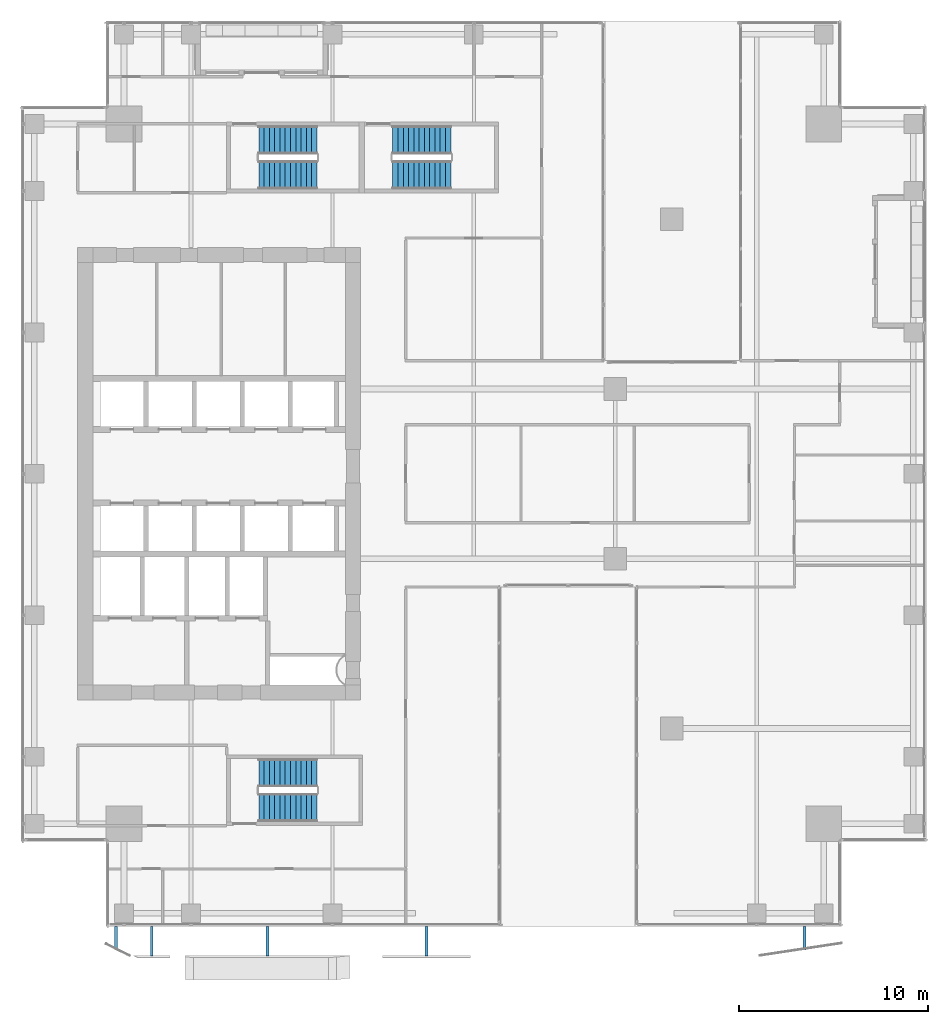
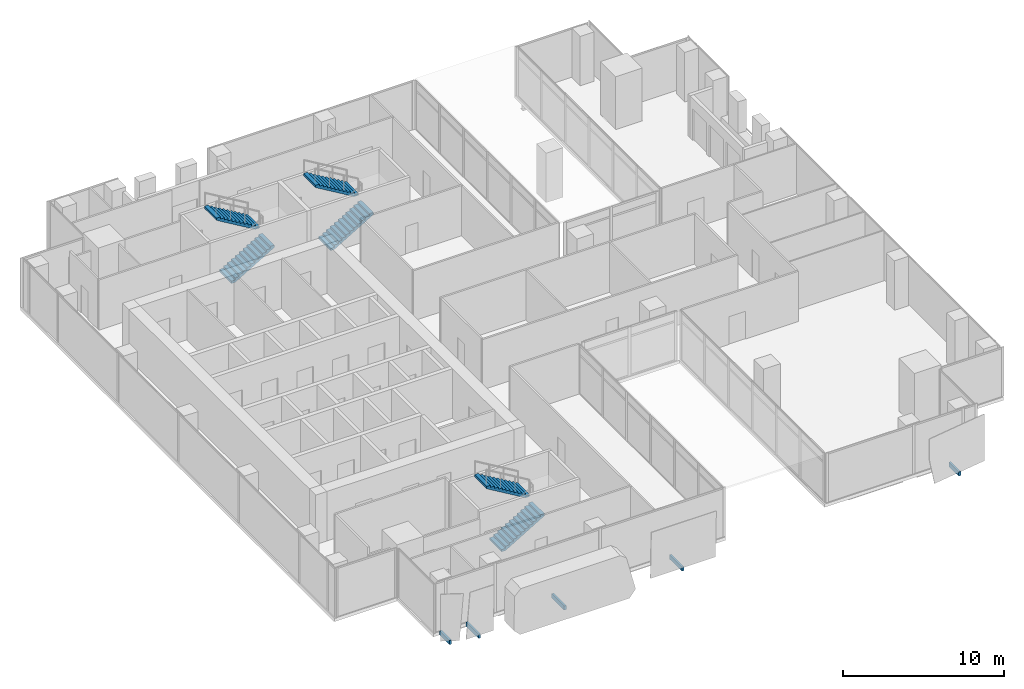
# One storey, part 37 of 40: 6 stair flights, 5 discrete accessories, 3 elements without a shape of their own.
"""IFC4 building model written with IfcOpenShell, lengths in metres."""

from ifc_helpers import new_model, si_unit, direction, frame, origin, origin_2d, place, context, subcontext, project, spatial, polyline, rectangle, outline, extrude, source, transform, mapped, material, type_object, element, aggregate, save


model = new_model("IFC4")

# Units and contexts
model_context = context("Model", 3, precision=1e-05, world=origin(), true_north=direction((0.0, 1.0)))
body_context = subcontext(model_context, "Body", "Model", "MODEL_VIEW")
ifc_project = project(units=[si_unit("LENGTHUNIT", "METRE"), si_unit("AREAUNIT", "SQUARE_METRE"), si_unit("VOLUMEUNIT", "CUBIC_METRE"), si_unit("PLANEANGLEUNIT", "RADIAN"), si_unit("MASSUNIT", "GRAM", prefix="KILO")], contexts=[model_context])

# Site, building, storey
site_placement = place(None, origin())
site = spatial("IfcSite", under=ifc_project, at=site_placement, CompositionType="ELEMENT")
building_placement = place(site_placement, origin())
building = spatial("IfcBuilding", under=site, at=building_placement, Name="Khomas Fold Tower", CompositionType="ELEMENT")
storey_placement = place(building_placement, frame((0.0, 0.0, 184.699951171875)))
storey = spatial("IfcBuildingStorey", under=building, at=storey_placement, Name="L40", CompositionType="ELEMENT", Elevation=184.699951171875)

# Stair, stair flights
ifc_material_1 = material(Name="Concrete C40/50", Category="concrete")
stair_type_1 = type_object("IfcStairType", Name="Stair ST1", PredefinedType="HALF_TURN_STAIR", material=ifc_material_1)
stair_1_placement = place(storey_placement, origin())
stair_1 = element("IfcStair", 1, at=stair_1_placement, inside=storey, type_object=stair_type_1, Name="L40 ST1", PredefinedType="HALF_TURN_STAIR")
ifc_material_2 = material(Name="Concrete C40/50", Category="concrete")
stair_flight_type_1 = type_object("IfcStairFlightType", Name="Stair flight 1500 ST1", PredefinedType="STRAIGHT", material=ifc_material_2)
shared_shape_1 = source(origin(), body_context, "Body", "SweptSolid", [
    extrude(outline(polyline([(0.0, 0.0), (0.0, 0.012939453125), (0.0, 0.025634765625), (0.0, 0.03857421875), (0.0, 0.05126953125), (0.0, 0.064208984375), (0.0, 0.076904296875), (0.0, 0.08984375), (0.0, 0.1025390625), (0.0, 0.115478515625), (0.0, 0.128173828125), (0.0, 0.14111328125), (0.0, 0.15380859375), (0.0, 0.166748046875), (0.280029296875, 0.166748046875), (0.280029296875, 0.333251953125), (0.56005859375, 0.333251953125), (0.56005859375, 0.5), (0.840087890625, 0.5), (0.840087890625, 0.666748046875), (1.1201171875, 0.666748046875), (1.1201171875, 0.833251953125), (1.39990234375, 0.833251953125), (1.39990234375, 1.0), (1.679931640625, 1.0), (1.679931640625, 1.166748046875), (1.9599609375, 1.166748046875), (1.9599609375, 1.333251953125), (2.239990234375, 1.333251953125), (2.239990234375, 1.5), (2.52001953125, 1.5), (2.52001953125, 1.666748046875), (2.800048828125, 1.666748046875), (2.800048828125, 1.833251953125), (3.080078125, 1.833251953125), (3.080078125, 2.0), (3.080078125, 1.973876953125), (3.080078125, 1.947509765625), (3.080078125, 1.92138671875), (3.080078125, 1.89501953125), (3.080078125, 1.868896484375), (3.080078125, 1.842529296875), (3.080078125, 1.81640625), (3.080078125, 1.7900390625), (3.080078125, 1.763916015625), (3.080078125, 1.737548828125), (3.080078125, 1.71142578125), (3.080078125, 1.68505859375), (3.080078125, 1.658935546875), (0.29296875, 0.0), (0.0, 0.0)])), frame((0.0, 0.75, 0.0), z_axis=(0.0, -1.0, 0.0), x_axis=(1.0, 0.0, 0.0)), (0.0, 0.0, 1.0), 1.5),
])
stair_flight_1_placement = place(storey_placement, frame((15.60009765625, 42.85009765625, 0.0), z_axis=(0.0, 0.0, 1.0), x_axis=(1.0, 0.0, 0.0)))
stair_flight_1 = element("IfcStairFlight", 2, at=stair_flight_1_placement, type_object=stair_flight_type_1, Name="ST1 flight 1", NumberOfRisers=12, NumberOfTreads=11, PredefinedType="STRAIGHT", RiserHeight=0.166666667, TreadLength=0.28, context=body_context, shape_type="MappedRepresentation", body=[
    mapped(shared_shape_1, transform((0.0, 0.0, 0.0))),
])
stair_flight_2_placement = place(storey_placement, frame((18.679931640625, 44.699951171875, 2.0), z_axis=(0.0, 0.0, 1.0), x_axis=(-1.0, 0.0, 0.0)))
stair_flight_2 = element("IfcStairFlight", 3, at=stair_flight_2_placement, type_object=stair_flight_type_1, Name="ST1 flight 2", NumberOfRisers=12, NumberOfTreads=11, PredefinedType="STRAIGHT", RiserHeight=0.166666667, TreadLength=0.28, context=body_context, shape_type="MappedRepresentation", body=[
    mapped(shared_shape_1, transform((0.0, 0.0, 0.0))),
])
aggregate(stair_1, [stair_flight_1, stair_flight_2])

ifc_material_3 = material(Name="Concrete C40/50", Category="concrete")
stair_type_2 = type_object("IfcStairType", Name="Stair ST2", PredefinedType="HALF_TURN_STAIR", material=ifc_material_3)
stair_2_placement = place(storey_placement, origin())
stair_2 = element("IfcStair", 4, at=stair_2_placement, inside=storey, type_object=stair_type_2, Name="L40 ST2", PredefinedType="HALF_TURN_STAIR")
ifc_material_4 = material(Name="Concrete C40/50", Category="concrete")
stair_flight_type_2 = type_object("IfcStairFlightType", Name="Stair flight 1500 ST2", PredefinedType="STRAIGHT", material=ifc_material_4)
stair_flight_3_placement = place(storey_placement, frame((15.60009765625, 9.300048828125, 0.0), z_axis=(0.0, 0.0, 1.0), x_axis=(1.0, 0.0, 0.0)))
stair_flight_3 = element("IfcStairFlight", 5, at=stair_flight_3_placement, type_object=stair_flight_type_2, Name="ST2 flight 1", NumberOfRisers=12, NumberOfTreads=11, PredefinedType="STRAIGHT", RiserHeight=0.166666667, TreadLength=0.28, context=body_context, shape_type="MappedRepresentation", body=[
    mapped(shared_shape_1, transform((0.0, 0.0, 0.0))),
])
stair_flight_4_placement = place(storey_placement, frame((18.679931640625, 11.14990234375, 2.0), z_axis=(0.0, 0.0, 1.0), x_axis=(-1.0, 0.0, 0.0)))
stair_flight_4 = element("IfcStairFlight", 6, at=stair_flight_4_placement, type_object=stair_flight_type_2, Name="ST2 flight 2", NumberOfRisers=12, NumberOfTreads=11, PredefinedType="STRAIGHT", RiserHeight=0.166666667, TreadLength=0.28, context=body_context, shape_type="MappedRepresentation", body=[
    mapped(shared_shape_1, transform((0.0, 0.0, 0.0))),
])
aggregate(stair_2, [stair_flight_3, stair_flight_4])

ifc_material_5 = material(Name="Concrete C40/50", Category="concrete")
stair_type_3 = type_object("IfcStairType", Name="Stair ST3", PredefinedType="HALF_TURN_STAIR", material=ifc_material_5)
stair_3_placement = place(storey_placement, origin())
stair_3 = element("IfcStair", 7, at=stair_3_placement, inside=storey, type_object=stair_type_3, Name="L40 ST3", PredefinedType="HALF_TURN_STAIR")
ifc_material_6 = material(Name="Concrete C40/50", Category="concrete")
stair_flight_type_3 = type_object("IfcStairFlightType", Name="Stair flight 1500 ST3", PredefinedType="STRAIGHT", material=ifc_material_6)
stair_flight_5_placement = place(storey_placement, frame((22.699951171875, 42.85009765625, 0.0), z_axis=(0.0, 0.0, 1.0), x_axis=(1.0, 0.0, 0.0)))
stair_flight_5 = element("IfcStairFlight", 8, at=stair_flight_5_placement, type_object=stair_flight_type_3, Name="ST3 flight 1", NumberOfRisers=12, NumberOfTreads=11, PredefinedType="STRAIGHT", RiserHeight=0.166666667, TreadLength=0.28, context=body_context, shape_type="MappedRepresentation", body=[
    mapped(shared_shape_1, transform((0.0, 0.0, 0.0))),
])
stair_flight_6_placement = place(storey_placement, frame((25.780029296875, 44.699951171875, 2.0), z_axis=(0.0, 0.0, 1.0), x_axis=(-1.0, 0.0, 0.0)))
stair_flight_6 = element("IfcStairFlight", 9, at=stair_flight_6_placement, type_object=stair_flight_type_3, Name="ST3 flight 2", NumberOfRisers=12, NumberOfTreads=11, PredefinedType="STRAIGHT", RiserHeight=0.166666667, TreadLength=0.28, context=body_context, shape_type="MappedRepresentation", body=[
    mapped(shared_shape_1, transform((0.0, 0.0, 0.0))),
])
aggregate(stair_3, [stair_flight_5, stair_flight_6])

# Discrete accessories
ifc_material_7 = material(Name="Stainless steel", Category="steel")
discrete_accessory_type = type_object("IfcDiscreteAccessoryType", Name="SK-Stainless steel stone bracket", PredefinedType="BRACKET", material=ifc_material_7)
shared_shape_2 = source(origin(), body_context, "Body", "SweptSolid", [
    extrude(rectangle(XDim=1.552001953125, YDim=0.14990234375, at=origin_2d()), origin(), (0.0, 0.0, 1.0), 0.31005859375),
])
for number, where, z_axis, x_axis, name in (
    (10, (16.0654296875, 2.223876953125, -0.25), (0.0, 0.0, 1.0), (0.0, -1.0, 0.0), "Stone bracket L40 SS03-1-1"),
    (11, (9.92626953125, 2.223876953125, -0.25), (0.0, 0.0, 1.0), (0.0, -1.0, 0.0), "Stone bracket L40 SG099-1-1"),
    (12, (24.5, 2.223876953125, -0.25), (0.0, 0.0, 1.0), (0.0, -1.0, 0.0), "Stone bracket L40 SG102-3-1"),
):
    element("IfcDiscreteAccessory", number, at=place(storey_placement, frame(where, z_axis=z_axis, x_axis=x_axis)), inside=storey, type_object=discrete_accessory_type, Name=name, PredefinedType="BRACKET", context=body_context, shape_type="MappedRepresentation", body=[
        mapped(shared_shape_2, transform((0.0, 0.0, 0.0))),
    ])
shared_shape_3 = source(origin(), body_context, "Body", "SweptSolid", [
    extrude(rectangle(XDim=1.2265625, YDim=0.14990234375, at=origin_2d()), origin(), (0.0, 0.0, 1.0), 0.31005859375),
])
discrete_accessory_1_placement = place(storey_placement, frame((8.028076171875, 2.38671875, -0.25), z_axis=(0.0, 0.0, 1.0), x_axis=(0.0, -1.0, 0.0)))
element("IfcDiscreteAccessory", 13, at=discrete_accessory_1_placement, inside=storey, type_object=discrete_accessory_type, Name="Stone bracket L40 SG099-2-1", PredefinedType="BRACKET", context=body_context, shape_type="MappedRepresentation", body=[
    mapped(shared_shape_3, transform((0.0, 0.0, 0.0))),
])
shared_shape_4 = source(origin(), body_context, "Body", "SweptSolid", [
    extrude(rectangle(XDim=1.235107421875, YDim=0.14990234375, at=origin_2d()), origin(), (0.0, 0.0, 1.0), 0.31005859375),
])
discrete_accessory_2_placement = place(storey_placement, frame((44.535400390625, 2.382568359375, -0.25), z_axis=(0.0, 0.0, 1.0), x_axis=(0.0, -1.0, 0.0)))
element("IfcDiscreteAccessory", 14, at=discrete_accessory_2_placement, inside=storey, type_object=discrete_accessory_type, Name="Stone bracket L40 SG106-4-1", PredefinedType="BRACKET", context=body_context, shape_type="MappedRepresentation", body=[
    mapped(shared_shape_4, transform((0.0, 0.0, 0.0))),
])

save(model, "model.ifc")
